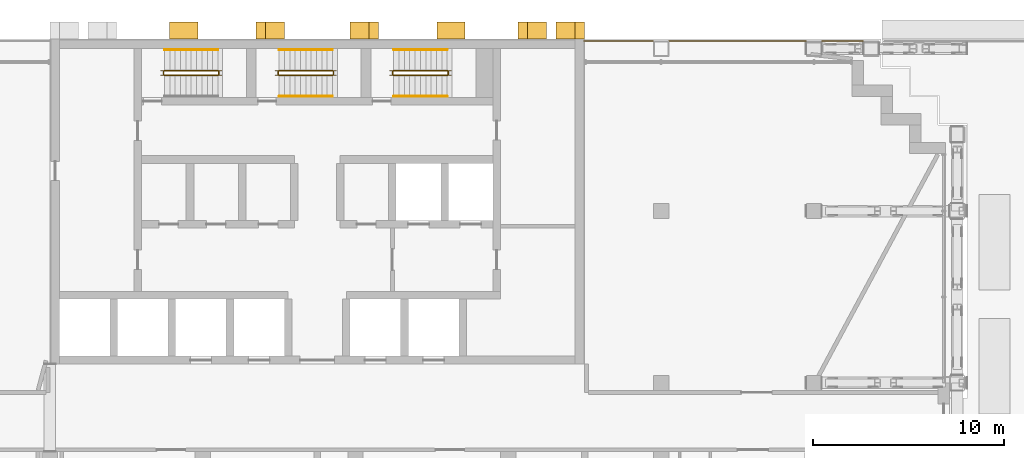
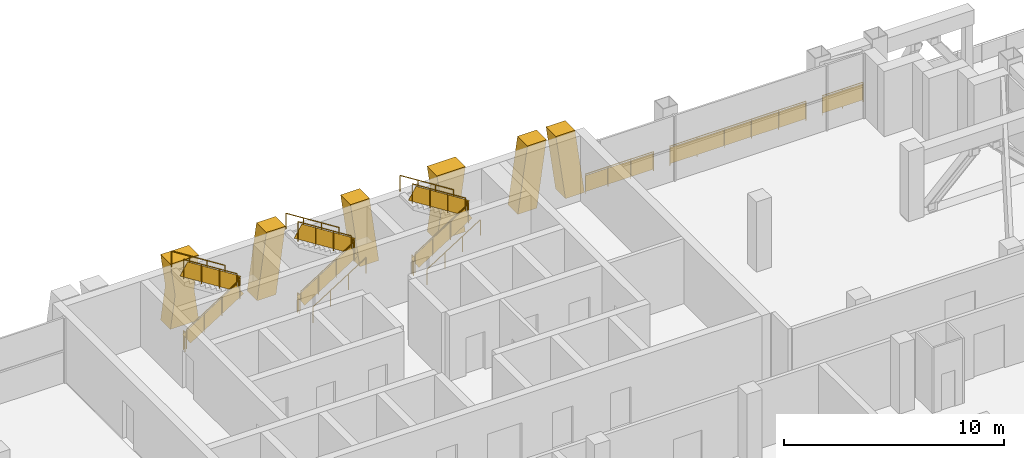
# One storey, part 24 of 25: 20 railings, 6 shading devices.
"""IFC4 building model written with IfcOpenShell, lengths in metres."""

from ifc_helpers import new_model, si_unit, direction, frame, origin, origin_2d, place, context, subcontext, project, spatial, polyline, rectangle, circle, outline, extrude, material, layer, layer_set, type_object, element, save


model = new_model("IFC4")

# Units and contexts
model_context = context("Model", 3, precision=1e-05, world=origin(), true_north=direction((0.0, 1.0)))
body_context = subcontext(model_context, "Body", "Model", "MODEL_VIEW")
ifc_project = project(units=[si_unit("LENGTHUNIT", "METRE"), si_unit("AREAUNIT", "SQUARE_METRE"), si_unit("VOLUMEUNIT", "CUBIC_METRE"), si_unit("PLANEANGLEUNIT", "RADIAN"), si_unit("MASSUNIT", "GRAM", prefix="KILO")], contexts=[model_context])

# Site, building, storey
site_placement = place(None, origin())
site = spatial("IfcSite", under=ifc_project, at=site_placement, CompositionType="ELEMENT")
building_placement = place(site_placement, origin())
building = spatial("IfcBuilding", under=site, at=building_placement, Name="Vidyagriha Tower", CompositionType="ELEMENT")
storey_placement = place(building_placement, frame((0.0, 0.0, 115.89990234375)))
storey = spatial("IfcBuildingStorey", under=building, at=storey_placement, Name="L29", CompositionType="ELEMENT", Elevation=115.89990234375)

# Shading devices
ifc_material_1 = material(Name="Precast concrete C40/50 with brick facing", Category="concrete")
ifc_layer_1 = layer(ifc_material_1, 1.0)
ifc_layer_set_1 = layer_set([ifc_layer_1], Name="Precast concrete C40/50 with brick facing")
shading_device_type_1 = type_object("IfcShadingDeviceType", Name="Brick-faced rear rib arm leaning 8 degrees", PredefinedType="USERDEFINED", material=ifc_layer_set_1)
shading_device_1_placement = place(storey_placement, frame((14.0, 20.449951171875, 0.0), z_axis=(0.0, 0.0, 1.0), x_axis=(-1.0, 0.0, 0.0)))
element("IfcShadingDevice", 1, at=shading_device_1_placement, inside=storey, type_object=shading_device_type_1, Name="Rear rib arm L29 R08.1a", ObjectType="BLADE FIN", PredefinedType="USERDEFINED", context=body_context, shape_type="SweptSolid", body=[
    extrude(outline(polyline([(0.0, 0.0), (1.0, 0.0), (1.5, 3.6201171875), (0.5, 3.6201171875), (0.0, 0.0)])), frame((0.0, 0.449951171875, 0.0), z_axis=(0.0, -1.0, 0.0), x_axis=(1.0, 0.0, 0.0)), (0.0, 0.0, 1.0), 0.89990234375),
])
shading_device_2_placement = place(storey_placement, frame((12.0, 20.449951171875, 0.0), z_axis=(0.0, 0.0, 1.0), x_axis=(-1.0, 0.0, 0.0)))
element("IfcShadingDevice", 2, at=shading_device_2_placement, inside=storey, type_object=shading_device_type_1, Name="Rear rib arm L29 R08.1b", ObjectType="BLADE FIN", PredefinedType="USERDEFINED", context=body_context, shape_type="SweptSolid", body=[
    extrude(outline(polyline([(0.5, 0.0), (1.5, 0.0), (1.0, 3.6201171875), (0.0, 3.6201171875), (0.5, 0.0)])), frame((0.0, 0.449951171875, 0.0), z_axis=(0.0, -1.0, 0.0), x_axis=(1.0, 0.0, 0.0)), (0.0, 0.0, 1.0), 0.89990234375),
])
shading_device_3_placement = place(storey_placement, frame((3.199951171875, 20.449951171875, 0.0), z_axis=(0.0, 0.0, 1.0), x_axis=(-1.0, 0.0, 0.0)))
element("IfcShadingDevice", 3, at=shading_device_3_placement, inside=storey, type_object=shading_device_type_1, Name="Rear rib arm L29 R08.3a", ObjectType="BLADE FIN", PredefinedType="USERDEFINED", context=body_context, shape_type="SweptSolid", body=[
    extrude(outline(polyline([(0.0, 0.0), (1.0, 0.0), (1.490966796875, 3.6201171875), (0.490966796875, 3.6201171875), (0.0, 0.0)])), frame((0.0, 0.449951171875, 0.0), z_axis=(0.0, -1.0, 0.0), x_axis=(1.0, 0.0, 0.0)), (0.0, 0.0, 1.0), 0.89990234375),
])
shading_device_4_placement = place(storey_placement, frame((-1.708984375, 20.449951171875, 0.0), z_axis=(0.0, 0.0, 1.0), x_axis=(-1.0, 0.0, 0.0)))
element("IfcShadingDevice", 4, at=shading_device_4_placement, inside=storey, type_object=shading_device_type_1, Name="Rear rib arm L29 R08.3b", ObjectType="BLADE FIN", PredefinedType="USERDEFINED", context=body_context, shape_type="SweptSolid", body=[
    extrude(outline(polyline([(0.490966796875, 0.0), (1.490966796875, 0.0), (1.0, 3.6201171875), (0.0, 3.6201171875), (0.490966796875, 0.0)])), frame((0.0, 0.449951171875, 0.0), z_axis=(0.0, -1.0, 0.0), x_axis=(1.0, 0.0, 0.0)), (0.0, 0.0, 1.0), 0.89990234375),
])
ifc_material_2 = material(Name="Precast concrete C40/50 with brick facing", Category="concrete")
ifc_layer_2 = layer(ifc_material_2, 1.0)
ifc_layer_set_2 = layer_set([ifc_layer_2], Name="Precast concrete C40/50 with brick facing")
shading_device_type_2 = type_object("IfcShadingDeviceType", Name="Brick-faced rear rib forking 8 degrees", PredefinedType="USERDEFINED", material=ifc_layer_set_2)
for number, where, z_axis, x_axis, name in (
    (5, (7.74560546875, 20.449951171875, 0.0), (0.0, 0.0, 1.0), (-1.0, 0.0, 0.0), "Rear rib fork L29 R08.2a"),
    (6, (-6.25439453125, 20.449951171875, 0.0), (0.0, 0.0, 1.0), (-1.0, 0.0, 0.0), "Rear rib fork L29 R08.4a"),
):
    element("IfcShadingDevice", number, at=place(storey_placement, frame(where, z_axis=z_axis, x_axis=x_axis)), inside=storey, type_object=shading_device_type_2, Name=name, ObjectType="BLADE FIN", PredefinedType="USERDEFINED", context=body_context, shape_type="SweptSolid", body=[
        extrude(outline(polyline([(0.0, 0.0), (1.490966796875, 0.0), (1.24560546875, 1.81005859375), (1.490966796875, 3.6201171875), (0.0, 3.6201171875), (0.24560546875, 1.81005859375), (0.0, 0.0)])), frame((0.0, 0.449951171875, 0.0), z_axis=(0.0, -1.0, 0.0), x_axis=(1.0, 0.0, 0.0)), (0.0, 0.0, 1.0), 0.89990234375),
    ])

# Railings
ifc_material_3 = material(Name="Steel ASTM A500 Grade C black painted", Category="steel")
railing_type_1 = type_object("IfcRailingType", Name="Gallery guard 1100", PredefinedType="GUARDRAIL", material=ifc_material_3)
railing_1_placement = place(storey_placement, frame((13.97998046875, 19.89990234375, 0.0)))
element("IfcRailing", 7, at=railing_1_placement, inside=storey, type_object=railing_type_1, Name="Gallery guard L29 16", PredefinedType="GUARDRAIL", context=body_context, shape_type="SweptSolid", body=[
    extrude(circle(Radius=0.02490234375, at=origin_2d()), frame((0.0, 0.0, 1.0751953125), z_axis=(1.0, 0.0, 0.0), x_axis=(0.0, 1.0, 0.0)), (0.0, 0.0, 1.0), 3.590087890625),
    extrude(circle(Radius=0.02001953125, at=origin_2d()), origin(), (0.0, 0.0, 1.0), 1.050048828125),
    extrude(circle(Radius=0.02001953125, at=origin_2d()), frame((1.19677734375, 0.0, 0.0)), (0.0, 0.0, 1.0), 1.050048828125),
    extrude(circle(Radius=0.02001953125, at=origin_2d()), frame((2.393310546875, 0.0, 0.0)), (0.0, 0.0, 1.0), 1.050048828125),
    extrude(circle(Radius=0.02001953125, at=origin_2d()), frame((3.590087890625, 0.0, 0.0)), (0.0, 0.0, 1.0), 1.050048828125),
    extrude(rectangle(XDim=0.010009765625, YDim=0.900146484375, at=origin_2d()), frame((0.0, 0.0, 0.550048828125), z_axis=(1.0, 0.0, 0.0), x_axis=(0.0, 1.0, 0.0)), (0.0, 0.0, 1.0), 3.590087890625),
])
railing_2_placement = place(storey_placement, frame((18.429931640625, 19.89990234375, 0.0)))
element("IfcRailing", 8, at=railing_2_placement, inside=storey, type_object=railing_type_1, Name="Gallery guard L29 18", PredefinedType="GUARDRAIL", context=body_context, shape_type="SweptSolid", body=[
    extrude(circle(Radius=0.02490234375, at=origin_2d()), frame((0.0, 0.0, 1.0751953125), z_axis=(1.0, 0.0, 0.0), x_axis=(0.0, 1.0, 0.0)), (0.0, 0.0, 1.0), 7.14013671875),
    extrude(circle(Radius=0.02001953125, at=origin_2d()), origin(), (0.0, 0.0, 1.0), 1.050048828125),
    extrude(circle(Radius=0.02001953125, at=origin_2d()), frame((1.427978515625, 0.0, 0.0)), (0.0, 0.0, 1.0), 1.050048828125),
    extrude(circle(Radius=0.02001953125, at=origin_2d()), frame((2.85595703125, 0.0, 0.0)), (0.0, 0.0, 1.0), 1.050048828125),
    extrude(circle(Radius=0.02001953125, at=origin_2d()), frame((4.2841796875, 0.0, 0.0)), (0.0, 0.0, 1.0), 1.050048828125),
    extrude(circle(Radius=0.02001953125, at=origin_2d()), frame((5.712158203125, 0.0, 0.0)), (0.0, 0.0, 1.0), 1.050048828125),
    extrude(circle(Radius=0.02001953125, at=origin_2d()), frame((7.14013671875, 0.0, 0.0)), (0.0, 0.0, 1.0), 1.050048828125),
    extrude(rectangle(XDim=0.010009765625, YDim=0.900146484375, at=origin_2d()), frame((0.0, 0.0, 0.550048828125), z_axis=(1.0, 0.0, 0.0), x_axis=(0.0, 1.0, 0.0)), (0.0, 0.0, 1.0), 7.14013671875),
])
railing_3_placement = place(storey_placement, frame((26.429931640625, 19.89990234375, 0.0)))
element("IfcRailing", 9, at=railing_3_placement, inside=storey, type_object=railing_type_1, Name="Gallery guard L29 20", PredefinedType="GUARDRAIL", context=body_context, shape_type="SweptSolid", body=[
    extrude(circle(Radius=0.02490234375, at=origin_2d()), frame((0.0, 0.0, 1.0751953125), z_axis=(1.0, 0.0, 0.0), x_axis=(0.0, 1.0, 0.0)), (0.0, 0.0, 1.0), 2.14013671875),
    extrude(circle(Radius=0.02001953125, at=origin_2d()), origin(), (0.0, 0.0, 1.0), 1.050048828125),
    extrude(circle(Radius=0.02001953125, at=origin_2d()), frame((1.070068359375, 0.0, 0.0)), (0.0, 0.0, 1.0), 1.050048828125),
    extrude(circle(Radius=0.02001953125, at=origin_2d()), frame((2.14013671875, 0.0, 0.0)), (0.0, 0.0, 1.0), 1.050048828125),
    extrude(rectangle(XDim=0.010009765625, YDim=0.900146484375, at=origin_2d()), frame((0.0, 0.0, 0.550048828125), z_axis=(1.0, 0.0, 0.0), x_axis=(0.0, 1.0, 0.0)), (0.0, 0.0, 1.0), 2.14013671875),
])
ifc_material_4 = material(Name="Steel ASTM A500 Grade C", Category="steel")
railing_type_2 = type_object("IfcRailingType", Name="Stair guard 1100 mm, steel balustrade", PredefinedType="GUARDRAIL", material=ifc_material_4)
railing_4_placement = place(storey_placement, frame((-8.0, 18.10009765625, 0.177490234375)))
element("IfcRailing", 10, at=railing_4_placement, inside=storey, type_object=railing_type_2, Name="L29 ST1 stair guard 1", PredefinedType="GUARDRAIL", context=body_context, shape_type="SweptSolid", body=[
    extrude(circle(Radius=0.02392578125, at=origin_2d()), frame((0.0, 0.0, 1.076171875), z_axis=(0.844908973607, 0.0, 0.534910110503), x_axis=(0.0, 1.0, 0.0)), (0.0, 0.0, 1.0), 3.31396484375),
    extrude(circle(Radius=0.02099609375, at=origin_2d()), origin(), (0.0, 0.0, 1.0), 1.052001953125),
    extrude(circle(Radius=0.02099609375, at=origin_2d()), frame((0.933349609375, 0.0, 0.5908203125)), (0.0, 0.0, 1.0), 1.052001953125),
    extrude(circle(Radius=0.02099609375, at=origin_2d()), frame((1.86669921875, 0.0, 1.181884765625)), (0.0, 0.0, 1.0), 1.052001953125),
    extrude(circle(Radius=0.02099609375, at=origin_2d()), frame((2.800048828125, 0.0, 1.772705078125)), (0.0, 0.0, 1.0), 1.052001953125),
    extrude(rectangle(XDim=0.010009765625, YDim=0.76220703125, at=origin_2d()), frame((0.0, 0.0, 0.551025390625), z_axis=(0.844908973607, 0.0, 0.534910110503), x_axis=(0.0, 1.0, 0.0)), (0.0, 0.0, 1.0), 3.31396484375),
])
railing_5_placement = place(storey_placement, frame((-5.14990234375, 18.14990234375, 1.9501953125)))
element("IfcRailing", 11, at=railing_5_placement, inside=storey, type_object=railing_type_2, Name="L29 ST1 stair guard 2", PredefinedType="GUARDRAIL", context=body_context, shape_type="SweptSolid", body=[
    extrude(circle(Radius=0.02392578125, at=origin_2d()), frame((0.0, 0.0, 1.076171875), z_axis=(0.0, 1.0, 0.0), x_axis=(-1.0, 0.0, 0.0)), (0.0, 0.0, 1.0), 0.150146484375),
    extrude(circle(Radius=0.02099609375, at=origin_2d()), origin(), (0.0, 0.0, 1.0), 1.052001953125),
    extrude(circle(Radius=0.02099609375, at=origin_2d()), frame((0.0, 0.150146484375, 0.0)), (0.0, 0.0, 1.0), 1.052001953125),
    extrude(rectangle(XDim=0.010009765625, YDim=0.902099609375, at=origin_2d()), frame((0.0, 0.0, 0.551025390625), z_axis=(0.0, 1.0, 0.0), x_axis=(-1.0, 0.0, 0.0)), (0.0, 0.0, 1.0), 0.150146484375),
])
railing_6_placement = place(storey_placement, frame((-5.199951171875, 18.35009765625, 2.12744140625)))
element("IfcRailing", 12, at=railing_6_placement, inside=storey, type_object=railing_type_2, Name="L29 ST1 stair guard 3", PredefinedType="GUARDRAIL", context=body_context, shape_type="SweptSolid", body=[
    extrude(circle(Radius=0.02392578125, at=origin_2d()), frame((0.0, 0.0, 1.076171875), z_axis=(-0.844908973607, 0.0, 0.534910110503), x_axis=(0.0, -1.0, 0.0)), (0.0, 0.0, 1.0), 3.31396484375),
    extrude(circle(Radius=0.02099609375, at=origin_2d()), origin(), (0.0, 0.0, 1.0), 1.052001953125),
    extrude(circle(Radius=0.02099609375, at=origin_2d()), frame((-0.933349609375, 0.0, 0.5908203125)), (0.0, 0.0, 1.0), 1.052001953125),
    extrude(circle(Radius=0.02099609375, at=origin_2d()), frame((-1.86669921875, 0.0, 1.181884765625)), (0.0, 0.0, 1.0), 1.052001953125),
    extrude(circle(Radius=0.02099609375, at=origin_2d()), frame((-2.800048828125, 0.0, 1.772705078125)), (0.0, 0.0, 1.0), 1.052001953125),
    extrude(rectangle(XDim=0.010009765625, YDim=0.76220703125, at=origin_2d()), frame((0.0, 0.0, 0.551025390625), z_axis=(-0.844908973607, 0.0, 0.534910110503), x_axis=(0.0, -1.0, 0.0)), (0.0, 0.0, 1.0), 3.31396484375),
])
railing_7_placement = place(storey_placement, frame((-8.050048828125, 18.14990234375, 0.0)))
element("IfcRailing", 13, at=railing_7_placement, inside=storey, type_object=railing_type_2, Name="L29 ST1 stair guard 4", PredefinedType="GUARDRAIL", context=body_context, shape_type="SweptSolid", body=[
    extrude(circle(Radius=0.02392578125, at=origin_2d()), frame((0.0, 0.0, 1.076171875), z_axis=(0.0, 1.0, 0.0), x_axis=(-1.0, 0.0, 0.0)), (0.0, 0.0, 1.0), 0.150146484375),
    extrude(circle(Radius=0.02099609375, at=origin_2d()), origin(), (0.0, 0.0, 1.0), 1.052001953125),
    extrude(circle(Radius=0.02099609375, at=origin_2d()), frame((0.0, 0.150146484375, 0.0)), (0.0, 0.0, 1.0), 1.052001953125),
    extrude(rectangle(XDim=0.010009765625, YDim=0.902099609375, at=origin_2d()), frame((0.0, 0.0, 0.551025390625), z_axis=(0.0, 1.0, 0.0), x_axis=(-1.0, 0.0, 0.0)), (0.0, 0.0, 1.0), 0.150146484375),
])
railing_8_placement = place(storey_placement, frame((-2.0, 18.10009765625, 0.177490234375)))
element("IfcRailing", 14, at=railing_8_placement, inside=storey, type_object=railing_type_2, Name="L29 ST2 stair guard 1", PredefinedType="GUARDRAIL", context=body_context, shape_type="SweptSolid", body=[
    extrude(circle(Radius=0.02392578125, at=origin_2d()), frame((0.0, 0.0, 1.076171875), z_axis=(0.844908973607, 0.0, 0.534910110503), x_axis=(0.0, 1.0, 0.0)), (0.0, 0.0, 1.0), 3.31396484375),
    extrude(circle(Radius=0.02099609375, at=origin_2d()), origin(), (0.0, 0.0, 1.0), 1.052001953125),
    extrude(circle(Radius=0.02099609375, at=origin_2d()), frame((0.933349609375, 0.0, 0.5908203125)), (0.0, 0.0, 1.0), 1.052001953125),
    extrude(circle(Radius=0.02099609375, at=origin_2d()), frame((1.86669921875, 0.0, 1.181884765625)), (0.0, 0.0, 1.0), 1.052001953125),
    extrude(circle(Radius=0.02099609375, at=origin_2d()), frame((2.800048828125, 0.0, 1.772705078125)), (0.0, 0.0, 1.0), 1.052001953125),
    extrude(rectangle(XDim=0.010009765625, YDim=0.76220703125, at=origin_2d()), frame((0.0, 0.0, 0.551025390625), z_axis=(0.844908973607, 0.0, 0.534910110503), x_axis=(0.0, 1.0, 0.0)), (0.0, 0.0, 1.0), 3.31396484375),
])
railing_9_placement = place(storey_placement, frame((0.85009765625, 18.14990234375, 1.9501953125)))
element("IfcRailing", 15, at=railing_9_placement, inside=storey, type_object=railing_type_2, Name="L29 ST2 stair guard 2", PredefinedType="GUARDRAIL", context=body_context, shape_type="SweptSolid", body=[
    extrude(circle(Radius=0.02392578125, at=origin_2d()), frame((0.0, 0.0, 1.076171875), z_axis=(0.0, 1.0, 0.0), x_axis=(-1.0, 0.0, 0.0)), (0.0, 0.0, 1.0), 0.150146484375),
    extrude(circle(Radius=0.02099609375, at=origin_2d()), origin(), (0.0, 0.0, 1.0), 1.052001953125),
    extrude(circle(Radius=0.02099609375, at=origin_2d()), frame((0.0, 0.150146484375, 0.0)), (0.0, 0.0, 1.0), 1.052001953125),
    extrude(rectangle(XDim=0.010009765625, YDim=0.902099609375, at=origin_2d()), frame((0.0, 0.0, 0.551025390625), z_axis=(0.0, 1.0, 0.0), x_axis=(-1.0, 0.0, 0.0)), (0.0, 0.0, 1.0), 0.150146484375),
])
railing_10_placement = place(storey_placement, frame((0.800048828125, 18.35009765625, 2.12744140625)))
element("IfcRailing", 16, at=railing_10_placement, inside=storey, type_object=railing_type_2, Name="L29 ST2 stair guard 3", PredefinedType="GUARDRAIL", context=body_context, shape_type="SweptSolid", body=[
    extrude(circle(Radius=0.02392578125, at=origin_2d()), frame((0.0, 0.0, 1.076171875), z_axis=(-0.844908973607, 0.0, 0.534910110503), x_axis=(0.0, -1.0, 0.0)), (0.0, 0.0, 1.0), 3.31396484375),
    extrude(circle(Radius=0.02099609375, at=origin_2d()), origin(), (0.0, 0.0, 1.0), 1.052001953125),
    extrude(circle(Radius=0.02099609375, at=origin_2d()), frame((-0.933349609375, 0.0, 0.5908203125)), (0.0, 0.0, 1.0), 1.052001953125),
    extrude(circle(Radius=0.02099609375, at=origin_2d()), frame((-1.86669921875, 0.0, 1.181884765625)), (0.0, 0.0, 1.0), 1.052001953125),
    extrude(circle(Radius=0.02099609375, at=origin_2d()), frame((-2.800048828125, 0.0, 1.772705078125)), (0.0, 0.0, 1.0), 1.052001953125),
    extrude(rectangle(XDim=0.010009765625, YDim=0.76220703125, at=origin_2d()), frame((0.0, 0.0, 0.551025390625), z_axis=(-0.844908973607, 0.0, 0.534910110503), x_axis=(0.0, -1.0, 0.0)), (0.0, 0.0, 1.0), 3.31396484375),
])
railing_11_placement = place(storey_placement, frame((-2.050048828125, 18.14990234375, 0.0)))
element("IfcRailing", 17, at=railing_11_placement, inside=storey, type_object=railing_type_2, Name="L29 ST2 stair guard 4", PredefinedType="GUARDRAIL", context=body_context, shape_type="SweptSolid", body=[
    extrude(circle(Radius=0.02392578125, at=origin_2d()), frame((0.0, 0.0, 1.076171875), z_axis=(0.0, 1.0, 0.0), x_axis=(-1.0, 0.0, 0.0)), (0.0, 0.0, 1.0), 0.150146484375),
    extrude(circle(Radius=0.02099609375, at=origin_2d()), origin(), (0.0, 0.0, 1.0), 1.052001953125),
    extrude(circle(Radius=0.02099609375, at=origin_2d()), frame((0.0, 0.150146484375, 0.0)), (0.0, 0.0, 1.0), 1.052001953125),
    extrude(rectangle(XDim=0.010009765625, YDim=0.902099609375, at=origin_2d()), frame((0.0, 0.0, 0.551025390625), z_axis=(0.0, 1.0, 0.0), x_axis=(-1.0, 0.0, 0.0)), (0.0, 0.0, 1.0), 0.150146484375),
])
railing_12_placement = place(storey_placement, frame((4.0, 18.10009765625, 0.177490234375)))
element("IfcRailing", 18, at=railing_12_placement, inside=storey, type_object=railing_type_2, Name="L29 ST3 stair guard 1", PredefinedType="GUARDRAIL", context=body_context, shape_type="SweptSolid", body=[
    extrude(circle(Radius=0.02392578125, at=origin_2d()), frame((0.0, 0.0, 1.076171875), z_axis=(0.844908973607, 0.0, 0.534910110503), x_axis=(0.0, 1.0, 0.0)), (0.0, 0.0, 1.0), 3.31396484375),
    extrude(circle(Radius=0.02099609375, at=origin_2d()), origin(), (0.0, 0.0, 1.0), 1.052001953125),
    extrude(circle(Radius=0.02099609375, at=origin_2d()), frame((0.933349609375, 0.0, 0.5908203125)), (0.0, 0.0, 1.0), 1.052001953125),
    extrude(circle(Radius=0.02099609375, at=origin_2d()), frame((1.86669921875, 0.0, 1.181884765625)), (0.0, 0.0, 1.0), 1.052001953125),
    extrude(circle(Radius=0.02099609375, at=origin_2d()), frame((2.800048828125, 0.0, 1.772705078125)), (0.0, 0.0, 1.0), 1.052001953125),
    extrude(rectangle(XDim=0.010009765625, YDim=0.76220703125, at=origin_2d()), frame((0.0, 0.0, 0.551025390625), z_axis=(0.844908973607, 0.0, 0.534910110503), x_axis=(0.0, 1.0, 0.0)), (0.0, 0.0, 1.0), 3.31396484375),
])
railing_13_placement = place(storey_placement, frame((6.85009765625, 18.14990234375, 1.9501953125)))
element("IfcRailing", 19, at=railing_13_placement, inside=storey, type_object=railing_type_2, Name="L29 ST3 stair guard 2", PredefinedType="GUARDRAIL", context=body_context, shape_type="SweptSolid", body=[
    extrude(circle(Radius=0.02392578125, at=origin_2d()), frame((0.0, 0.0, 1.076171875), z_axis=(0.0, 1.0, 0.0), x_axis=(-1.0, 0.0, 0.0)), (0.0, 0.0, 1.0), 0.150146484375),
    extrude(circle(Radius=0.02099609375, at=origin_2d()), origin(), (0.0, 0.0, 1.0), 1.052001953125),
    extrude(circle(Radius=0.02099609375, at=origin_2d()), frame((0.0, 0.150146484375, 0.0)), (0.0, 0.0, 1.0), 1.052001953125),
    extrude(rectangle(XDim=0.010009765625, YDim=0.902099609375, at=origin_2d()), frame((0.0, 0.0, 0.551025390625), z_axis=(0.0, 1.0, 0.0), x_axis=(-1.0, 0.0, 0.0)), (0.0, 0.0, 1.0), 0.150146484375),
])
railing_14_placement = place(storey_placement, frame((6.800048828125, 18.35009765625, 2.12744140625)))
element("IfcRailing", 20, at=railing_14_placement, inside=storey, type_object=railing_type_2, Name="L29 ST3 stair guard 3", PredefinedType="GUARDRAIL", context=body_context, shape_type="SweptSolid", body=[
    extrude(circle(Radius=0.02392578125, at=origin_2d()), frame((0.0, 0.0, 1.076171875), z_axis=(-0.844908973607, 0.0, 0.534910110503), x_axis=(0.0, -1.0, 0.0)), (0.0, 0.0, 1.0), 3.31396484375),
    extrude(circle(Radius=0.02099609375, at=origin_2d()), origin(), (0.0, 0.0, 1.0), 1.052001953125),
    extrude(circle(Radius=0.02099609375, at=origin_2d()), frame((-0.933349609375, 0.0, 0.5908203125)), (0.0, 0.0, 1.0), 1.052001953125),
    extrude(circle(Radius=0.02099609375, at=origin_2d()), frame((-1.86669921875, 0.0, 1.181884765625)), (0.0, 0.0, 1.0), 1.052001953125),
    extrude(circle(Radius=0.02099609375, at=origin_2d()), frame((-2.800048828125, 0.0, 1.772705078125)), (0.0, 0.0, 1.0), 1.052001953125),
    extrude(rectangle(XDim=0.010009765625, YDim=0.76220703125, at=origin_2d()), frame((0.0, 0.0, 0.551025390625), z_axis=(-0.844908973607, 0.0, 0.534910110503), x_axis=(0.0, -1.0, 0.0)), (0.0, 0.0, 1.0), 3.31396484375),
])
railing_15_placement = place(storey_placement, frame((3.949951171875, 18.14990234375, 0.0)))
element("IfcRailing", 21, at=railing_15_placement, inside=storey, type_object=railing_type_2, Name="L29 ST3 stair guard 4", PredefinedType="GUARDRAIL", context=body_context, shape_type="SweptSolid", body=[
    extrude(circle(Radius=0.02392578125, at=origin_2d()), frame((0.0, 0.0, 1.076171875), z_axis=(0.0, 1.0, 0.0), x_axis=(-1.0, 0.0, 0.0)), (0.0, 0.0, 1.0), 0.150146484375),
    extrude(circle(Radius=0.02099609375, at=origin_2d()), origin(), (0.0, 0.0, 1.0), 1.052001953125),
    extrude(circle(Radius=0.02099609375, at=origin_2d()), frame((0.0, 0.150146484375, 0.0)), (0.0, 0.0, 1.0), 1.052001953125),
    extrude(rectangle(XDim=0.010009765625, YDim=0.902099609375, at=origin_2d()), frame((0.0, 0.0, 0.551025390625), z_axis=(0.0, 1.0, 0.0), x_axis=(-1.0, 0.0, 0.0)), (0.0, 0.0, 1.0), 0.150146484375),
])
ifc_material_5 = material(Name="Steel ASTM A500 Grade C", Category="steel")
railing_type_3 = type_object("IfcRailingType", Name="Stair handrail 900 mm, steel", PredefinedType="HANDRAIL", material=ifc_material_5)
railing_16_placement = place(storey_placement, frame((-5.199951171875, 19.449951171875, 2.12744140625)))
element("IfcRailing", 22, at=railing_16_placement, inside=storey, type_object=railing_type_3, Name="L29 ST1 stair handrail 2", PredefinedType="HANDRAIL", context=body_context, shape_type="SweptSolid", body=[
    extrude(circle(Radius=0.02392578125, at=origin_2d()), frame((0.0, 0.0, 0.8759765625), z_axis=(-0.844908973607, 0.0, 0.534910110503), x_axis=(0.0, -1.0, 0.0)), (0.0, 0.0, 1.0), 3.31396484375),
    extrude(circle(Radius=0.02099609375, at=origin_2d()), origin(), (0.0, 0.0, 1.0), 0.851806640625),
    extrude(circle(Radius=0.02099609375, at=origin_2d()), frame((-0.933349609375, 0.0, 0.5908203125)), (0.0, 0.0, 1.0), 0.851806640625),
    extrude(circle(Radius=0.02099609375, at=origin_2d()), frame((-1.86669921875, 0.0, 1.181884765625)), (0.0, 0.0, 1.0), 0.851806640625),
    extrude(circle(Radius=0.02099609375, at=origin_2d()), frame((-2.800048828125, 0.0, 1.772705078125)), (0.0, 0.0, 1.0), 0.851806640625),
])
railing_17_placement = place(storey_placement, frame((-2.0, 17.0, 0.177490234375)))
element("IfcRailing", 23, at=railing_17_placement, inside=storey, type_object=railing_type_3, Name="L29 ST2 stair handrail 1", PredefinedType="HANDRAIL", context=body_context, shape_type="SweptSolid", body=[
    extrude(circle(Radius=0.02392578125, at=origin_2d()), frame((0.0, 0.0, 0.8759765625), z_axis=(0.844908973607, 0.0, 0.534910110503), x_axis=(0.0, 1.0, 0.0)), (0.0, 0.0, 1.0), 3.31396484375),
    extrude(circle(Radius=0.02099609375, at=origin_2d()), origin(), (0.0, 0.0, 1.0), 0.851806640625),
    extrude(circle(Radius=0.02099609375, at=origin_2d()), frame((0.933349609375, 0.0, 0.5908203125)), (0.0, 0.0, 1.0), 0.851806640625),
    extrude(circle(Radius=0.02099609375, at=origin_2d()), frame((1.86669921875, 0.0, 1.181884765625)), (0.0, 0.0, 1.0), 0.851806640625),
    extrude(circle(Radius=0.02099609375, at=origin_2d()), frame((2.800048828125, 0.0, 1.772705078125)), (0.0, 0.0, 1.0), 0.851806640625),
])
railing_18_placement = place(storey_placement, frame((0.800048828125, 19.449951171875, 2.12744140625)))
element("IfcRailing", 24, at=railing_18_placement, inside=storey, type_object=railing_type_3, Name="L29 ST2 stair handrail 2", PredefinedType="HANDRAIL", context=body_context, shape_type="SweptSolid", body=[
    extrude(circle(Radius=0.02392578125, at=origin_2d()), frame((0.0, 0.0, 0.8759765625), z_axis=(-0.844908973607, 0.0, 0.534910110503), x_axis=(0.0, -1.0, 0.0)), (0.0, 0.0, 1.0), 3.31396484375),
    extrude(circle(Radius=0.02099609375, at=origin_2d()), origin(), (0.0, 0.0, 1.0), 0.851806640625),
    extrude(circle(Radius=0.02099609375, at=origin_2d()), frame((-0.933349609375, 0.0, 0.5908203125)), (0.0, 0.0, 1.0), 0.851806640625),
    extrude(circle(Radius=0.02099609375, at=origin_2d()), frame((-1.86669921875, 0.0, 1.181884765625)), (0.0, 0.0, 1.0), 0.851806640625),
    extrude(circle(Radius=0.02099609375, at=origin_2d()), frame((-2.800048828125, 0.0, 1.772705078125)), (0.0, 0.0, 1.0), 0.851806640625),
])
railing_19_placement = place(storey_placement, frame((4.0, 17.0, 0.177490234375)))
element("IfcRailing", 25, at=railing_19_placement, inside=storey, type_object=railing_type_3, Name="L29 ST3 stair handrail 1", PredefinedType="HANDRAIL", context=body_context, shape_type="SweptSolid", body=[
    extrude(circle(Radius=0.02392578125, at=origin_2d()), frame((0.0, 0.0, 0.8759765625), z_axis=(0.844908973607, 0.0, 0.534910110503), x_axis=(0.0, 1.0, 0.0)), (0.0, 0.0, 1.0), 3.31396484375),
    extrude(circle(Radius=0.02099609375, at=origin_2d()), origin(), (0.0, 0.0, 1.0), 0.851806640625),
    extrude(circle(Radius=0.02099609375, at=origin_2d()), frame((0.933349609375, 0.0, 0.5908203125)), (0.0, 0.0, 1.0), 0.851806640625),
    extrude(circle(Radius=0.02099609375, at=origin_2d()), frame((1.86669921875, 0.0, 1.181884765625)), (0.0, 0.0, 1.0), 0.851806640625),
    extrude(circle(Radius=0.02099609375, at=origin_2d()), frame((2.800048828125, 0.0, 1.772705078125)), (0.0, 0.0, 1.0), 0.851806640625),
])
railing_20_placement = place(storey_placement, frame((6.800048828125, 19.449951171875, 2.12744140625)))
element("IfcRailing", 26, at=railing_20_placement, inside=storey, type_object=railing_type_3, Name="L29 ST3 stair handrail 2", PredefinedType="HANDRAIL", context=body_context, shape_type="SweptSolid", body=[
    extrude(circle(Radius=0.02392578125, at=origin_2d()), frame((0.0, 0.0, 0.8759765625), z_axis=(-0.844908973607, 0.0, 0.534910110503), x_axis=(0.0, -1.0, 0.0)), (0.0, 0.0, 1.0), 3.31396484375),
    extrude(circle(Radius=0.02099609375, at=origin_2d()), origin(), (0.0, 0.0, 1.0), 0.851806640625),
    extrude(circle(Radius=0.02099609375, at=origin_2d()), frame((-0.933349609375, 0.0, 0.5908203125)), (0.0, 0.0, 1.0), 0.851806640625),
    extrude(circle(Radius=0.02099609375, at=origin_2d()), frame((-1.86669921875, 0.0, 1.181884765625)), (0.0, 0.0, 1.0), 0.851806640625),
    extrude(circle(Radius=0.02099609375, at=origin_2d()), frame((-2.800048828125, 0.0, 1.772705078125)), (0.0, 0.0, 1.0), 0.851806640625),
])

save(model, "model.ifc")
